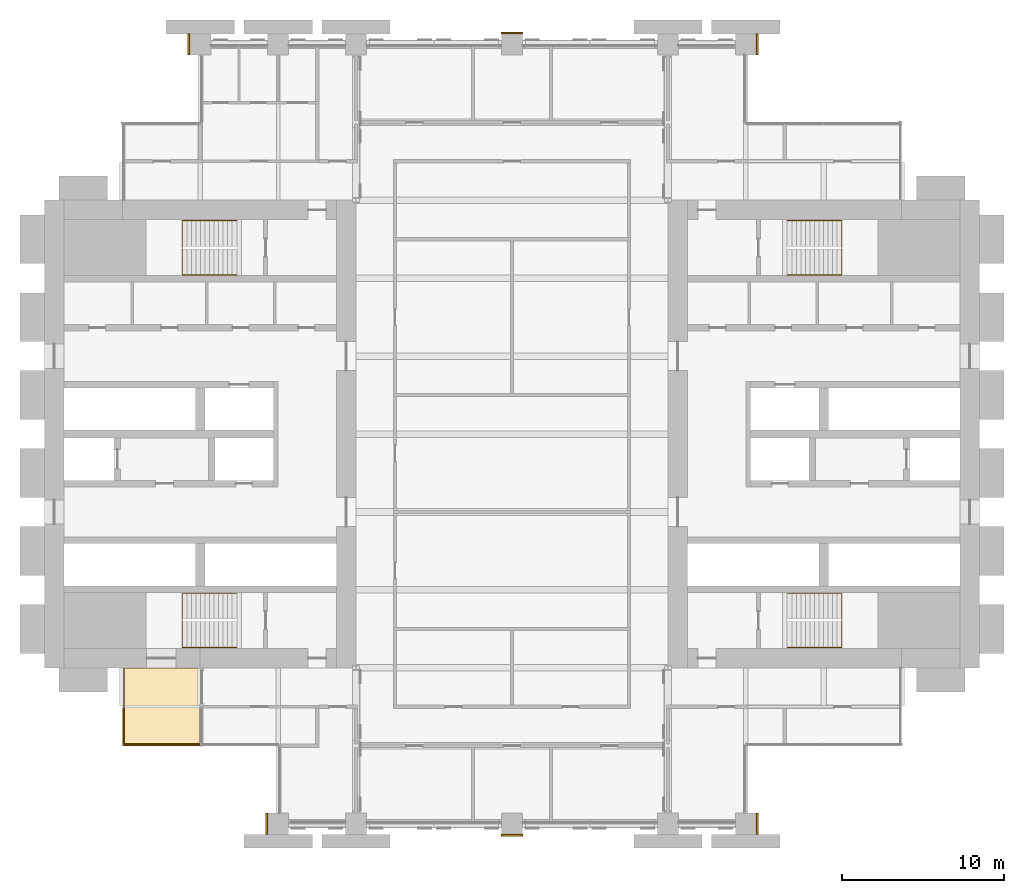
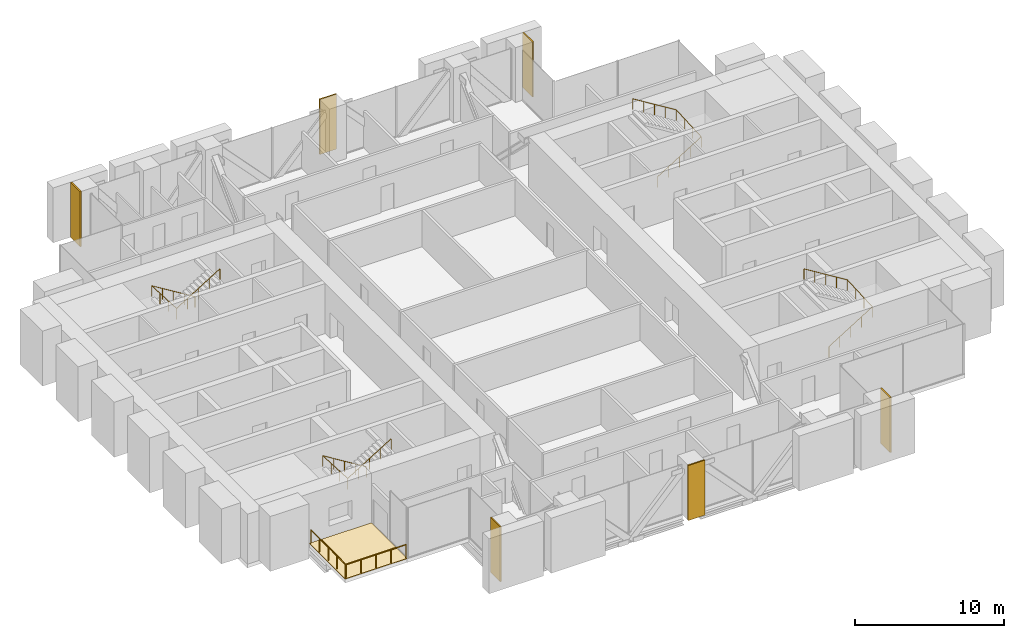
# One storey, part 15 of 15: 7 coverings, 5 railings.
"""IFC4 building model written with IfcOpenShell, lengths in metres."""

from ifc_helpers import new_model, si_unit, direction, frame, origin, origin_2d, place, context, subcontext, project, spatial, polyline, rectangle, circle, outline, extrude, material, layer, layer_set, type_object, element, save


model = new_model("IFC4")

# Units and contexts
model_context = context("Model", 3, precision=1e-05, world=origin(), true_north=direction((0.0, 1.0)))
body_context = subcontext(model_context, "Body", "Model", "MODEL_VIEW")
ifc_project = project(units=[si_unit("LENGTHUNIT", "METRE"), si_unit("AREAUNIT", "SQUARE_METRE"), si_unit("VOLUMEUNIT", "CUBIC_METRE"), si_unit("PLANEANGLEUNIT", "RADIAN"), si_unit("MASSUNIT", "GRAM", prefix="KILO")], contexts=[model_context])

# Site, building, storey
site_placement = place(None, origin())
site = spatial("IfcSite", under=ifc_project, at=site_placement, CompositionType="ELEMENT")
building_placement = place(site_placement, origin())
building = spatial("IfcBuilding", under=site, at=building_placement, Name="Baori Bourse Tower", CompositionType="ELEMENT")
storey_placement = place(building_placement, frame((0.0, 0.0, 87.0)))
storey = spatial("IfcBuildingStorey", under=building, at=storey_placement, Name="L19", CompositionType="ELEMENT", Elevation=87.0)

# Railings
ifc_material_1 = material(Name="Powder-coated steel balustrade", Category="steel")
railing_type_1 = type_object("IfcRailingType", Name="Core stair handrail", PredefinedType="HANDRAIL", material=ifc_material_1)
railing_1_placement = place(storey_placement, frame((11.85009765625, 14.199951171875, 0.173095703125)))
element("IfcRailing", 1, at=railing_1_placement, inside=storey, type_object=railing_type_1, Name="L19 ST1 stair handrail 1", PredefinedType="HANDRAIL", context=body_context, shape_type="SweptSolid", body=[
    extrude(circle(Radius=0.02392578125, at=origin_2d()), frame((0.0, 0.0, 0.8759765625), z_axis=(-0.850623216509, 0.0, 0.525775754039), x_axis=(0.0, -1.0, 0.0)), (0.0, 0.0, 1.0), 3.9501953125),
    extrude(circle(Radius=0.02392578125, at=origin_2d()), frame((-3.360107421875, 0.0, 2.95263671875), z_axis=(0.0, -0.998667637765, 0.051603771968), x_axis=(1.0, 0.0, 0.0)), (0.0, 0.0, 1.0), 3.354248046875),
    extrude(circle(Radius=0.02392578125, at=origin_2d()), frame((-3.360107421875, -3.349853515625, 3.1259765625), z_axis=(0.850623216509, 0.0, 0.525775754039), x_axis=(0.0, 1.0, 0.0)), (0.0, 0.0, 1.0), 3.9501953125),
    extrude(circle(Radius=0.02099609375, at=origin_2d()), origin(), (0.0, 0.0, 1.0), 0.851806640625),
    extrude(circle(Radius=0.02099609375, at=origin_2d()), frame((-0.840087890625, 0.0, 0.519287109375)), (0.0, 0.0, 1.0), 0.851806640625),
    extrude(circle(Radius=0.02099609375, at=origin_2d()), frame((-1.68017578125, 0.0, 1.03857421875)), (0.0, 0.0, 1.0), 0.851806640625),
    extrude(circle(Radius=0.02099609375, at=origin_2d()), frame((-2.52001953125, 0.0, 1.5576171875)), (0.0, 0.0, 1.0), 0.851806640625),
    extrude(circle(Radius=0.02099609375, at=origin_2d()), frame((-3.360107421875, 0.0, 2.076904296875)), (0.0, 0.0, 1.0), 0.851806640625),
    extrude(circle(Radius=0.02099609375, at=origin_2d()), frame((-3.360107421875, -1.11669921875, 2.134521484375)), (0.0, 0.0, 1.0), 0.851806640625),
    extrude(circle(Radius=0.02099609375, at=origin_2d()), frame((-3.360107421875, -2.233154296875, 2.1923828125)), (0.0, 0.0, 1.0), 0.851806640625),
    extrude(circle(Radius=0.02099609375, at=origin_2d()), frame((-3.360107421875, -3.349853515625, 2.25)), (0.0, 0.0, 1.0), 0.851806640625),
    extrude(circle(Radius=0.02099609375, at=origin_2d()), frame((-2.52001953125, -3.349853515625, 2.769287109375)), (0.0, 0.0, 1.0), 0.851806640625),
    extrude(circle(Radius=0.02099609375, at=origin_2d()), frame((-1.68017578125, -3.349853515625, 3.28857421875)), (0.0, 0.0, 1.0), 0.851806640625),
    extrude(circle(Radius=0.02099609375, at=origin_2d()), frame((-0.840087890625, -3.349853515625, 3.8076171875)), (0.0, 0.0, 1.0), 0.851806640625),
    extrude(circle(Radius=0.02099609375, at=origin_2d()), frame((0.0, -3.349853515625, 4.326904296875)), (0.0, 0.0, 1.0), 0.851806640625),
])
railing_2_placement = place(storey_placement, frame((11.85009765625, 37.14990234375, 0.173095703125)))
element("IfcRailing", 2, at=railing_2_placement, inside=storey, type_object=railing_type_1, Name="L19 ST2 stair handrail 1", PredefinedType="HANDRAIL", context=body_context, shape_type="SweptSolid", body=[
    extrude(circle(Radius=0.02392578125, at=origin_2d()), frame((0.0, 0.0, 0.8759765625), z_axis=(-0.850623216509, 0.0, 0.525775754039), x_axis=(0.0, -1.0, 0.0)), (0.0, 0.0, 1.0), 3.9501953125),
    extrude(circle(Radius=0.02392578125, at=origin_2d()), frame((-3.360107421875, 0.0, 2.95263671875), z_axis=(0.0, -0.998667637765, 0.051603771968), x_axis=(1.0, 0.0, 0.0)), (0.0, 0.0, 1.0), 3.354248046875),
    extrude(circle(Radius=0.02392578125, at=origin_2d()), frame((-3.360107421875, -3.349853515625, 3.1259765625), z_axis=(0.850623216509, 0.0, 0.525775754039), x_axis=(0.0, 1.0, 0.0)), (0.0, 0.0, 1.0), 3.9501953125),
    extrude(circle(Radius=0.02099609375, at=origin_2d()), origin(), (0.0, 0.0, 1.0), 0.851806640625),
    extrude(circle(Radius=0.02099609375, at=origin_2d()), frame((-0.840087890625, 0.0, 0.519287109375)), (0.0, 0.0, 1.0), 0.851806640625),
    extrude(circle(Radius=0.02099609375, at=origin_2d()), frame((-1.68017578125, 0.0, 1.03857421875)), (0.0, 0.0, 1.0), 0.851806640625),
    extrude(circle(Radius=0.02099609375, at=origin_2d()), frame((-2.52001953125, 0.0, 1.5576171875)), (0.0, 0.0, 1.0), 0.851806640625),
    extrude(circle(Radius=0.02099609375, at=origin_2d()), frame((-3.360107421875, 0.0, 2.076904296875)), (0.0, 0.0, 1.0), 0.851806640625),
    extrude(circle(Radius=0.02099609375, at=origin_2d()), frame((-3.360107421875, -1.11669921875, 2.134521484375)), (0.0, 0.0, 1.0), 0.851806640625),
    extrude(circle(Radius=0.02099609375, at=origin_2d()), frame((-3.360107421875, -2.233154296875, 2.1923828125)), (0.0, 0.0, 1.0), 0.851806640625),
    extrude(circle(Radius=0.02099609375, at=origin_2d()), frame((-3.360107421875, -3.349853515625, 2.25)), (0.0, 0.0, 1.0), 0.851806640625),
    extrude(circle(Radius=0.02099609375, at=origin_2d()), frame((-2.52001953125, -3.349853515625, 2.769287109375)), (0.0, 0.0, 1.0), 0.851806640625),
    extrude(circle(Radius=0.02099609375, at=origin_2d()), frame((-1.68017578125, -3.349853515625, 3.28857421875)), (0.0, 0.0, 1.0), 0.851806640625),
    extrude(circle(Radius=0.02099609375, at=origin_2d()), frame((-0.840087890625, -3.349853515625, 3.8076171875)), (0.0, 0.0, 1.0), 0.851806640625),
    extrude(circle(Radius=0.02099609375, at=origin_2d()), frame((0.0, -3.349853515625, 4.326904296875)), (0.0, 0.0, 1.0), 0.851806640625),
])
railing_3_placement = place(storey_placement, frame((45.75, 10.85009765625, 0.173095703125)))
element("IfcRailing", 3, at=railing_3_placement, inside=storey, type_object=railing_type_1, Name="L19 ST3 stair handrail 1", PredefinedType="HANDRAIL", context=body_context, shape_type="SweptSolid", body=[
    extrude(circle(Radius=0.02392578125, at=origin_2d()), frame((0.0, 0.0, 0.8759765625), z_axis=(0.850623216509, 0.0, 0.525775754039), x_axis=(0.0, 1.0, 0.0)), (0.0, 0.0, 1.0), 3.9501953125),
    extrude(circle(Radius=0.02392578125, at=origin_2d()), frame((3.360107421875, 0.0, 2.95263671875), z_axis=(0.0, 0.998667637765, 0.051603771968), x_axis=(-1.0, 0.0, 0.0)), (0.0, 0.0, 1.0), 3.354248046875),
    extrude(circle(Radius=0.02392578125, at=origin_2d()), frame((3.360107421875, 3.349853515625, 3.1259765625), z_axis=(-0.850623216509, 0.0, 0.525775754039), x_axis=(0.0, -1.0, 0.0)), (0.0, 0.0, 1.0), 3.9501953125),
    extrude(circle(Radius=0.02099609375, at=origin_2d()), origin(), (0.0, 0.0, 1.0), 0.851806640625),
    extrude(circle(Radius=0.02099609375, at=origin_2d()), frame((0.840087890625, 0.0, 0.519287109375)), (0.0, 0.0, 1.0), 0.851806640625),
    extrude(circle(Radius=0.02099609375, at=origin_2d()), frame((1.68017578125, 0.0, 1.03857421875)), (0.0, 0.0, 1.0), 0.851806640625),
    extrude(circle(Radius=0.02099609375, at=origin_2d()), frame((2.52001953125, 0.0, 1.5576171875)), (0.0, 0.0, 1.0), 0.851806640625),
    extrude(circle(Radius=0.02099609375, at=origin_2d()), frame((3.360107421875, 0.0, 2.076904296875)), (0.0, 0.0, 1.0), 0.851806640625),
    extrude(circle(Radius=0.02099609375, at=origin_2d()), frame((3.360107421875, 1.11669921875, 2.134521484375)), (0.0, 0.0, 1.0), 0.851806640625),
    extrude(circle(Radius=0.02099609375, at=origin_2d()), frame((3.360107421875, 2.233154296875, 2.1923828125)), (0.0, 0.0, 1.0), 0.851806640625),
    extrude(circle(Radius=0.02099609375, at=origin_2d()), frame((3.360107421875, 3.349853515625, 2.25)), (0.0, 0.0, 1.0), 0.851806640625),
    extrude(circle(Radius=0.02099609375, at=origin_2d()), frame((2.52001953125, 3.349853515625, 2.769287109375)), (0.0, 0.0, 1.0), 0.851806640625),
    extrude(circle(Radius=0.02099609375, at=origin_2d()), frame((1.68017578125, 3.349853515625, 3.28857421875)), (0.0, 0.0, 1.0), 0.851806640625),
    extrude(circle(Radius=0.02099609375, at=origin_2d()), frame((0.840087890625, 3.349853515625, 3.8076171875)), (0.0, 0.0, 1.0), 0.851806640625),
    extrude(circle(Radius=0.02099609375, at=origin_2d()), frame((0.0, 3.349853515625, 4.326904296875)), (0.0, 0.0, 1.0), 0.851806640625),
])
railing_4_placement = place(storey_placement, frame((45.75, 33.800048828125, 0.173095703125)))
element("IfcRailing", 4, at=railing_4_placement, inside=storey, type_object=railing_type_1, Name="L19 ST4 stair handrail 1", PredefinedType="HANDRAIL", context=body_context, shape_type="SweptSolid", body=[
    extrude(circle(Radius=0.02392578125, at=origin_2d()), frame((0.0, 0.0, 0.8759765625), z_axis=(0.850623216509, 0.0, 0.525775754039), x_axis=(0.0, 1.0, 0.0)), (0.0, 0.0, 1.0), 3.9501953125),
    extrude(circle(Radius=0.02392578125, at=origin_2d()), frame((3.360107421875, 0.0, 2.95263671875), z_axis=(0.0, 0.998667637765, 0.051603771968), x_axis=(-1.0, 0.0, 0.0)), (0.0, 0.0, 1.0), 3.354248046875),
    extrude(circle(Radius=0.02392578125, at=origin_2d()), frame((3.360107421875, 3.349853515625, 3.1259765625), z_axis=(-0.850623216509, 0.0, 0.525775754039), x_axis=(0.0, -1.0, 0.0)), (0.0, 0.0, 1.0), 3.9501953125),
    extrude(circle(Radius=0.02099609375, at=origin_2d()), origin(), (0.0, 0.0, 1.0), 0.851806640625),
    extrude(circle(Radius=0.02099609375, at=origin_2d()), frame((0.840087890625, 0.0, 0.519287109375)), (0.0, 0.0, 1.0), 0.851806640625),
    extrude(circle(Radius=0.02099609375, at=origin_2d()), frame((1.68017578125, 0.0, 1.03857421875)), (0.0, 0.0, 1.0), 0.851806640625),
    extrude(circle(Radius=0.02099609375, at=origin_2d()), frame((2.52001953125, 0.0, 1.5576171875)), (0.0, 0.0, 1.0), 0.851806640625),
    extrude(circle(Radius=0.02099609375, at=origin_2d()), frame((3.360107421875, 0.0, 2.076904296875)), (0.0, 0.0, 1.0), 0.851806640625),
    extrude(circle(Radius=0.02099609375, at=origin_2d()), frame((3.360107421875, 1.11669921875, 2.134521484375)), (0.0, 0.0, 1.0), 0.851806640625),
    extrude(circle(Radius=0.02099609375, at=origin_2d()), frame((3.360107421875, 2.233154296875, 2.1923828125)), (0.0, 0.0, 1.0), 0.851806640625),
    extrude(circle(Radius=0.02099609375, at=origin_2d()), frame((3.360107421875, 3.349853515625, 2.25)), (0.0, 0.0, 1.0), 0.851806640625),
    extrude(circle(Radius=0.02099609375, at=origin_2d()), frame((2.52001953125, 3.349853515625, 2.769287109375)), (0.0, 0.0, 1.0), 0.851806640625),
    extrude(circle(Radius=0.02099609375, at=origin_2d()), frame((1.68017578125, 3.349853515625, 3.28857421875)), (0.0, 0.0, 1.0), 0.851806640625),
    extrude(circle(Radius=0.02099609375, at=origin_2d()), frame((0.840087890625, 3.349853515625, 3.8076171875)), (0.0, 0.0, 1.0), 0.851806640625),
    extrude(circle(Radius=0.02099609375, at=origin_2d()), frame((0.0, 3.349853515625, 4.326904296875)), (0.0, 0.0, 1.0), 0.851806640625),
])
ifc_material_2 = material(Name="Stainless steel", Category="steel")
railing_type_2 = type_object("IfcRailingType", Name="GD1 Guard", PredefinedType="GUARDRAIL", material=ifc_material_2)
railing_5_placement = place(storey_placement, frame((9.570068359375, 4.89990234375, 0.0400390625)))
element("IfcRailing", 5, at=railing_5_placement, inside=storey, type_object=railing_type_2, Name="Guard terrace SW L19 1", PredefinedType="GUARDRAIL", context=body_context, shape_type="SweptSolid", body=[
    extrude(circle(Radius=0.02392578125, at=origin_2d()), frame((0.0, 0.0, 1.076171875), z_axis=(-1.0, 0.0, 0.0), x_axis=(0.0, -1.0, 0.0)), (0.0, 0.0, 1.0), 4.670166015625),
    extrude(circle(Radius=0.02392578125, at=origin_2d()), frame((-4.670166015625, 0.0, 1.076171875), z_axis=(0.0, 1.0, 0.0), x_axis=(-1.0, 0.0, 0.0)), (0.0, 0.0, 1.0), 4.670166015625),
    extrude(circle(Radius=0.02099609375, at=origin_2d()), origin(), (0.0, 0.0, 1.0), 1.052001953125),
    extrude(circle(Radius=0.02099609375, at=origin_2d()), frame((-1.16748046875, 0.0, 0.0)), (0.0, 0.0, 1.0), 1.052001953125),
    extrude(circle(Radius=0.02099609375, at=origin_2d()), frame((-2.3349609375, 0.0, 0.0)), (0.0, 0.0, 1.0), 1.052001953125),
    extrude(circle(Radius=0.02099609375, at=origin_2d()), frame((-3.502685546875, 0.0, 0.0)), (0.0, 0.0, 1.0), 1.052001953125),
    extrude(circle(Radius=0.02099609375, at=origin_2d()), frame((-4.670166015625, 0.0, 0.0)), (0.0, 0.0, 1.0), 1.052001953125),
    extrude(circle(Radius=0.02099609375, at=origin_2d()), frame((-4.670166015625, 1.16748046875, 0.0)), (0.0, 0.0, 1.0), 1.052001953125),
    extrude(circle(Radius=0.02099609375, at=origin_2d()), frame((-4.670166015625, 2.3349609375, 0.0)), (0.0, 0.0, 1.0), 1.052001953125),
    extrude(circle(Radius=0.02099609375, at=origin_2d()), frame((-4.670166015625, 3.502685546875, 0.0)), (0.0, 0.0, 1.0), 1.052001953125),
    extrude(circle(Radius=0.02099609375, at=origin_2d()), frame((-4.670166015625, 4.670166015625, 0.0)), (0.0, 0.0, 1.0), 1.052001953125),
])

# Coverings
ifc_material_3 = material(Name="Face brick", Category="masonry")
ifc_layer_1 = layer(ifc_material_3, 0.110107421875)
ifc_layer_set_1 = layer_set([ifc_layer_1], Name="PC1 Brick pier facing")
covering_type_1 = type_object("IfcCoveringType", Name="PC1 Brick pier facing", PredefinedType="CLADDING", material=ifc_layer_set_1)
covering_1_placement = place(storey_placement, frame((13.695068359375, 0.0, 0.0), z_axis=(0.0, 0.0, 1.0), x_axis=(1.0, 0.0, 0.0)))
element("IfcCovering", 6, at=covering_1_placement, inside=storey, type_object=covering_type_1, Name="Brick pier facing L19 1", PredefinedType="CLADDING", context=body_context, shape_type="SweptSolid", body=[
    extrude(rectangle(XDim=0.110107421875, YDim=1.300048828125, at=origin_2d()), origin(), (0.0, 0.0, 1.0), 4.5),
])
covering_2_placement = place(storey_placement, frame((28.800048828125, -0.705078125, 0.0), z_axis=(0.0, 0.0, 1.0), x_axis=(1.0, 0.0, 0.0)))
element("IfcCovering", 7, at=covering_2_placement, inside=storey, type_object=covering_type_1, Name="Brick pier facing L19 2", PredefinedType="CLADDING", context=body_context, shape_type="SweptSolid", body=[
    extrude(rectangle(XDim=1.300048828125, YDim=0.110107421875, at=origin_2d()), origin(), (0.0, 0.0, 1.0), 4.5),
])
for number, where, z_axis, x_axis, name in (
    (8, (43.905029296875, 0.0, 0.0), (0.0, 0.0, 1.0), (1.0, 0.0, 0.0), "Brick pier facing L19 3"),
    (9, (8.89501953125, 48.0, 0.0), (0.0, 0.0, 1.0), (1.0, 0.0, 0.0), "Brick pier facing L19 4"),
):
    element("IfcCovering", number, at=place(storey_placement, frame(where, z_axis=z_axis, x_axis=x_axis)), inside=storey, type_object=covering_type_1, Name=name, PredefinedType="CLADDING", context=body_context, shape_type="SweptSolid", body=[
        extrude(rectangle(XDim=0.110107421875, YDim=1.300048828125, at=origin_2d()), origin(), (0.0, 0.0, 1.0), 4.5),
    ])
covering_3_placement = place(storey_placement, frame((28.800048828125, 48.705078125, 0.0), z_axis=(0.0, 0.0, 1.0), x_axis=(1.0, 0.0, 0.0)))
element("IfcCovering", 10, at=covering_3_placement, inside=storey, type_object=covering_type_1, Name="Brick pier facing L19 5", PredefinedType="CLADDING", context=body_context, shape_type="SweptSolid", body=[
    extrude(rectangle(XDim=1.300048828125, YDim=0.110107421875, at=origin_2d()), origin(), (0.0, 0.0, 1.0), 4.5),
])
covering_4_placement = place(storey_placement, frame((43.905029296875, 48.0, 0.0), z_axis=(0.0, 0.0, 1.0), x_axis=(1.0, 0.0, 0.0)))
element("IfcCovering", 11, at=covering_4_placement, inside=storey, type_object=covering_type_1, Name="Brick pier facing L19 6", PredefinedType="CLADDING", context=body_context, shape_type="SweptSolid", body=[
    extrude(rectangle(XDim=0.110107421875, YDim=1.300048828125, at=origin_2d()), origin(), (0.0, 0.0, 1.0), 4.5),
])
ifc_material_4 = material(Name="Granite paving", Category="masonry")
ifc_layer_2 = layer(ifc_material_4, 0.0400390625)
ifc_layer_set_2 = layer_set([ifc_layer_2], Name="PV1 Deck paving")
covering_type_2 = type_object("IfcCoveringType", Name="PV1 Deck paving", PredefinedType="FLOORING", material=ifc_layer_set_2)
covering_5_placement = place(storey_placement, origin())
element("IfcCovering", 12, at=covering_5_placement, inside=storey, type_object=covering_type_2, Name="Terrace paving L19 1", PredefinedType="FLOORING", context=body_context, shape_type="SweptSolid", body=[
    extrude(outline(polyline([(9.60009765625, 9.60009765625), (4.800048828125, 9.60009765625), (4.800048828125, 4.800048828125), (9.60009765625, 4.800048828125), (9.60009765625, 9.60009765625)])), origin(), (0.0, 0.0, 1.0), 0.0400390625),
])

save(model, "model.ifc")
